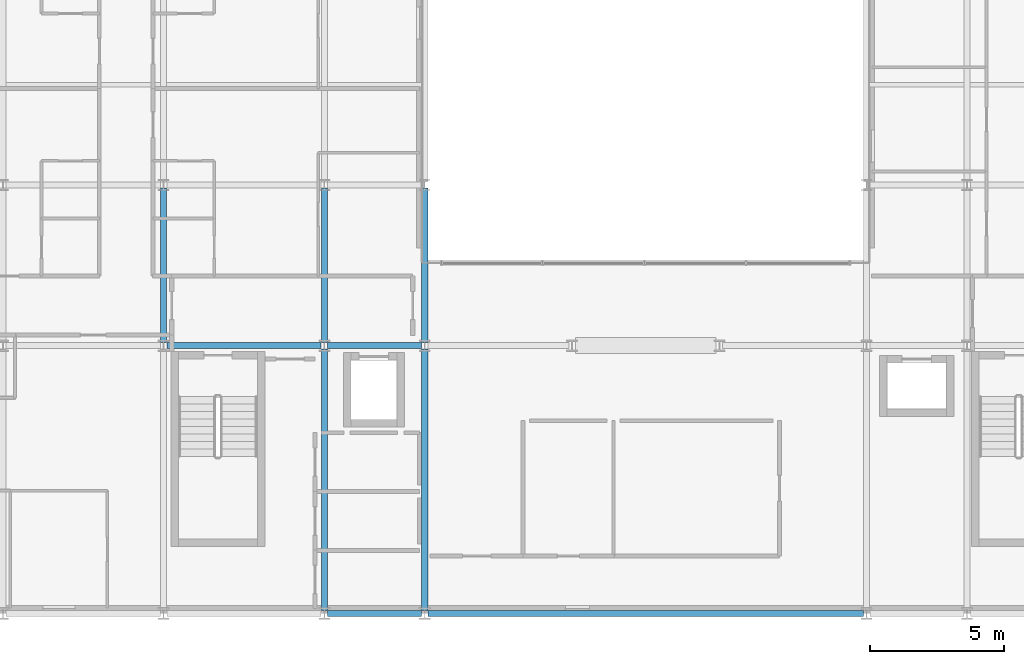
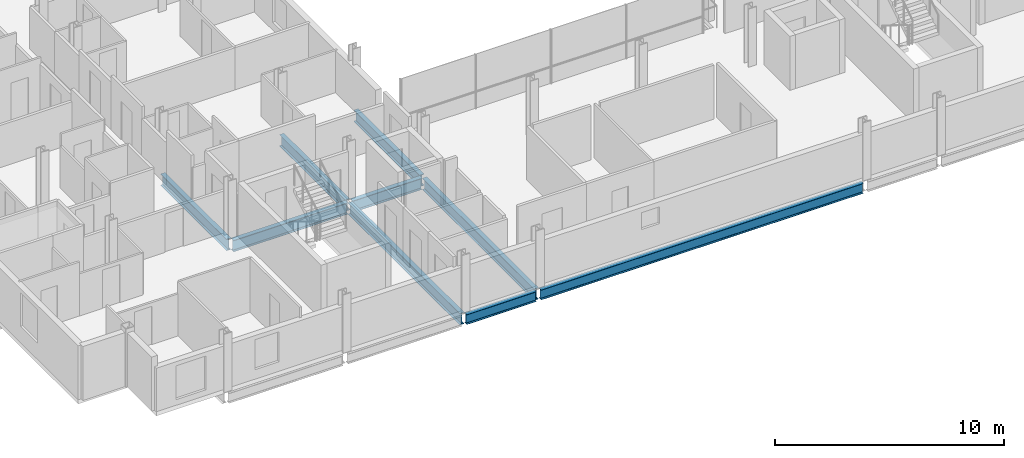
# One storey, part 3 of 39: 9 beams.
"""IFC4 building model written with IfcOpenShell, lengths in metres."""

from ifc_helpers import new_model, si_unit, direction, frame, origin, origin_2d, place, context, subcontext, project, spatial, i_section, extrude, material, material_profile, profile_set, type_object, element, save


model = new_model("IFC4")

# Units and contexts
model_context = context("Model", 3, precision=1e-05, world=origin(), true_north=direction((0.0, 1.0)))
body_context = subcontext(model_context, "Body", "Model", "MODEL_VIEW")
ifc_project = project(units=[si_unit("LENGTHUNIT", "METRE"), si_unit("AREAUNIT", "SQUARE_METRE"), si_unit("VOLUMEUNIT", "CUBIC_METRE"), si_unit("PLANEANGLEUNIT", "RADIAN"), si_unit("MASSUNIT", "GRAM", prefix="KILO")], contexts=[model_context])

# Site, building, storey
site_placement = place(None, origin())
site = spatial("IfcSite", under=ifc_project, at=site_placement, CompositionType="ELEMENT")
building_placement = place(site_placement, origin())
building = spatial("IfcBuilding", under=site, at=building_placement, Name="Brevholm Reach", CompositionType="ELEMENT")
storey_placement = place(building_placement, frame((0.0, 0.0, 109.699951171875)))
storey = spatial("IfcBuildingStorey", under=building, at=storey_placement, Name="L32", CompositionType="ELEMENT", Elevation=109.699951171875)

# Beams
ifc_material_1 = material(Name="Structural Steel S355J2", Category="steel")
ifc_material_profile_1 = material_profile(ifc_material_1, i_section(OverallWidth=0.209228515625, OverallDepth=0.533203125, WebThickness=0.010009765625, FlangeThickness=0.015625, FilletRadius=0.0126953125, at=origin_2d()), Name="UKB 533x210x92")
ifc_profile_set_1 = profile_set([ifc_material_profile_1], Name="Structural Steel S355J2")
beam_type_1 = type_object("IfcBeamType", Name="BM-SP533", PredefinedType="SPANDREL", material=ifc_profile_set_1)
beam_1_placement = place(storey_placement, frame((18.1201171875, 0.0, -0.486572265625), z_axis=(1.0, 0.0, 0.0), x_axis=(0.0, 1.0, 0.0)))
element("IfcBeam", 1, at=beam_1_placement, inside=storey, type_object=beam_type_1, Name="L32 SP-02 Framing Beam", PredefinedType="SPANDREL", context=body_context, shape_type="SweptSolid", body=[
    extrude(i_section(OverallWidth=0.209228515625, OverallDepth=0.533203125, WebThickness=0.010009765625, FlangeThickness=0.015625, FilletRadius=0.0126953125, at=origin_2d()), origin(), (0.0, 0.0, 1.0), 3.509765625),
])
beam_2_placement = place(storey_placement, frame((21.8701171875, 0.0, -0.486572265625), z_axis=(1.0, 0.0, 0.0), x_axis=(0.0, 1.0, 0.0)))
element("IfcBeam", 2, at=beam_2_placement, inside=storey, type_object=beam_type_1, Name="L32 SP-02 Framing Beam", PredefinedType="SPANDREL", context=body_context, shape_type="SweptSolid", body=[
    extrude(i_section(OverallWidth=0.209228515625, OverallDepth=0.533203125, WebThickness=0.010009765625, FlangeThickness=0.015625, FilletRadius=0.0126953125, at=origin_2d()), origin(), (0.0, 0.0, 1.0), 16.259765625),
])
ifc_material_2 = material(Name="Structural Steel S355J2", Category="steel")
ifc_material_profile_2 = material_profile(ifc_material_2, i_section(OverallWidth=0.22900390625, OverallDepth=0.6123046875, WebThickness=0.011962890625, FlangeThickness=0.01953125, FilletRadius=0.0126953125, at=origin_2d()), Name="UKB 610x229x125")
ifc_profile_set_2 = profile_set([ifc_material_profile_2], Name="Structural Steel S355J2")
beam_type_2 = type_object("IfcBeamType", Name="BM-SP610", PredefinedType="SPANDREL", material=ifc_profile_set_2)
beam_3_placement = place(storey_placement, frame((12.1201171875, 10.0, -0.526123046875), z_axis=(1.0, 0.0, 0.0), x_axis=(0.0, 1.0, 0.0)))
element("IfcBeam", 3, at=beam_3_placement, inside=storey, type_object=beam_type_2, Name="L32 SP-01 Framing Beam", PredefinedType="SPANDREL", context=body_context, shape_type="SweptSolid", body=[
    extrude(i_section(OverallWidth=0.22900390625, OverallDepth=0.6123046875, WebThickness=0.011962890625, FlangeThickness=0.01953125, FilletRadius=0.0126953125, at=origin_2d()), origin(), (0.0, 0.0, 1.0), 5.759765625),
])
beam_4_placement = place(storey_placement, frame((18.1201171875, 10.0, -0.526123046875), z_axis=(1.0, 0.0, 0.0), x_axis=(0.0, 1.0, 0.0)))
element("IfcBeam", 4, at=beam_4_placement, inside=storey, type_object=beam_type_2, Name="L32 SP-01 Framing Beam", PredefinedType="SPANDREL", context=body_context, shape_type="SweptSolid", body=[
    extrude(i_section(OverallWidth=0.22900390625, OverallDepth=0.6123046875, WebThickness=0.011962890625, FlangeThickness=0.01953125, FilletRadius=0.0126953125, at=origin_2d()), origin(), (0.0, 0.0, 1.0), 3.509765625),
])
beam_5_placement = place(storey_placement, frame((12.0, 10.1201171875, -0.526123046875), z_axis=(0.0, 1.0, 0.0), x_axis=(-1.0, 0.0, 0.0)))
element("IfcBeam", 5, at=beam_5_placement, inside=storey, type_object=beam_type_2, Name="L32 SP-01 Framing Beam", PredefinedType="SPANDREL", context=body_context, shape_type="SweptSolid", body=[
    extrude(i_section(OverallWidth=0.22900390625, OverallDepth=0.6123046875, WebThickness=0.011962890625, FlangeThickness=0.01953125, FilletRadius=0.0126953125, at=origin_2d()), origin(), (0.0, 0.0, 1.0), 5.759765625),
])
beam_6_placement = place(storey_placement, frame((18.0, 0.1201171875, -0.526123046875), z_axis=(0.0, 1.0, 0.0), x_axis=(-1.0, 0.0, 0.0)))
element("IfcBeam", 6, at=beam_6_placement, inside=storey, type_object=beam_type_2, Name="L32 SP-01 Framing Beam", PredefinedType="SPANDREL", context=body_context, shape_type="SweptSolid", body=[
    extrude(i_section(OverallWidth=0.22900390625, OverallDepth=0.6123046875, WebThickness=0.011962890625, FlangeThickness=0.01953125, FilletRadius=0.0126953125, at=origin_2d()), origin(), (0.0, 0.0, 1.0), 9.759765625),
])
beam_7_placement = place(storey_placement, frame((18.0, 10.1201171875, -0.526123046875), z_axis=(0.0, 1.0, 0.0), x_axis=(-1.0, 0.0, 0.0)))
element("IfcBeam", 7, at=beam_7_placement, inside=storey, type_object=beam_type_2, Name="L32 SP-01 Framing Beam", PredefinedType="SPANDREL", context=body_context, shape_type="SweptSolid", body=[
    extrude(i_section(OverallWidth=0.22900390625, OverallDepth=0.6123046875, WebThickness=0.011962890625, FlangeThickness=0.01953125, FilletRadius=0.0126953125, at=origin_2d()), origin(), (0.0, 0.0, 1.0), 5.759765625),
])
beam_8_placement = place(storey_placement, frame((21.75, 0.1201171875, -0.526123046875), z_axis=(0.0, 1.0, 0.0), x_axis=(-1.0, 0.0, 0.0)))
element("IfcBeam", 8, at=beam_8_placement, inside=storey, type_object=beam_type_2, Name="L32 SP-01 Framing Beam", PredefinedType="SPANDREL", context=body_context, shape_type="SweptSolid", body=[
    extrude(i_section(OverallWidth=0.22900390625, OverallDepth=0.6123046875, WebThickness=0.011962890625, FlangeThickness=0.01953125, FilletRadius=0.0126953125, at=origin_2d()), origin(), (0.0, 0.0, 1.0), 9.759765625),
])
beam_9_placement = place(storey_placement, frame((21.75, 10.1201171875, -0.526123046875), z_axis=(0.0, 1.0, 0.0), x_axis=(-1.0, 0.0, 0.0)))
element("IfcBeam", 9, at=beam_9_placement, inside=storey, type_object=beam_type_2, Name="L32 SP-01 Framing Beam", PredefinedType="SPANDREL", context=body_context, shape_type="SweptSolid", body=[
    extrude(i_section(OverallWidth=0.22900390625, OverallDepth=0.6123046875, WebThickness=0.011962890625, FlangeThickness=0.01953125, FilletRadius=0.0126953125, at=origin_2d()), origin(), (0.0, 0.0, 1.0), 5.759765625),
])

save(model, "model.ifc")
